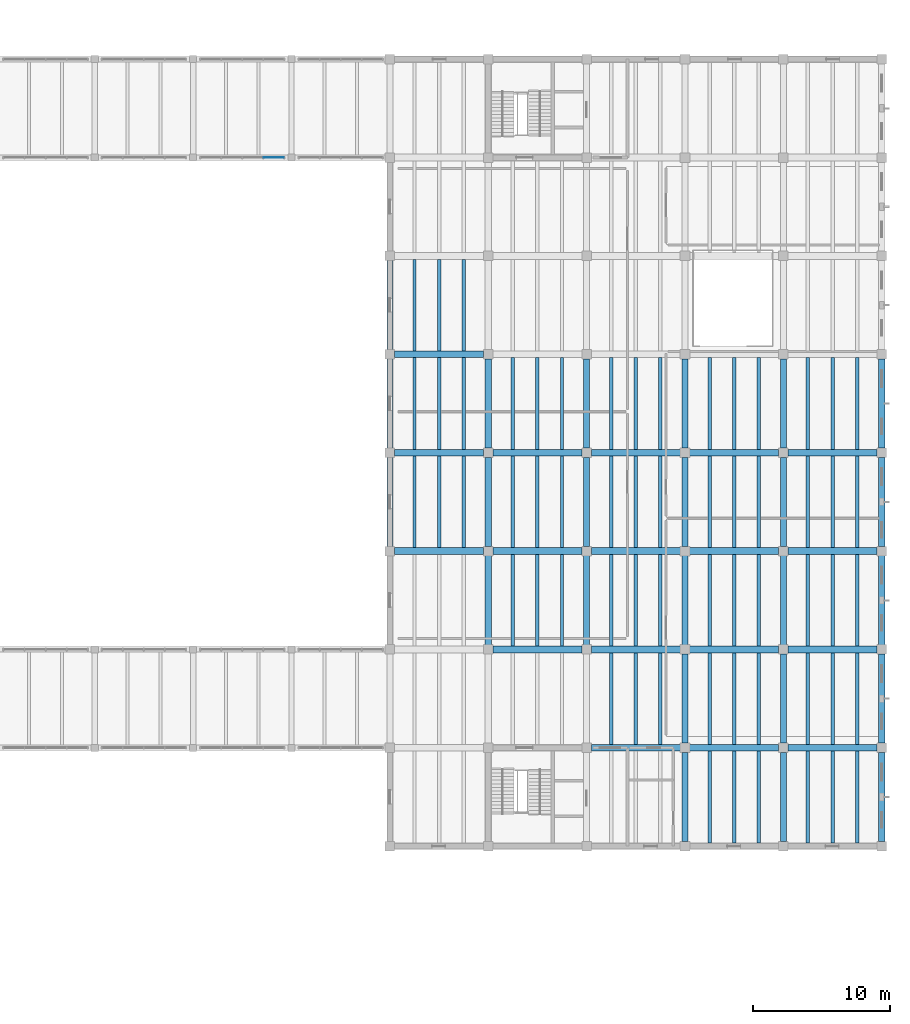
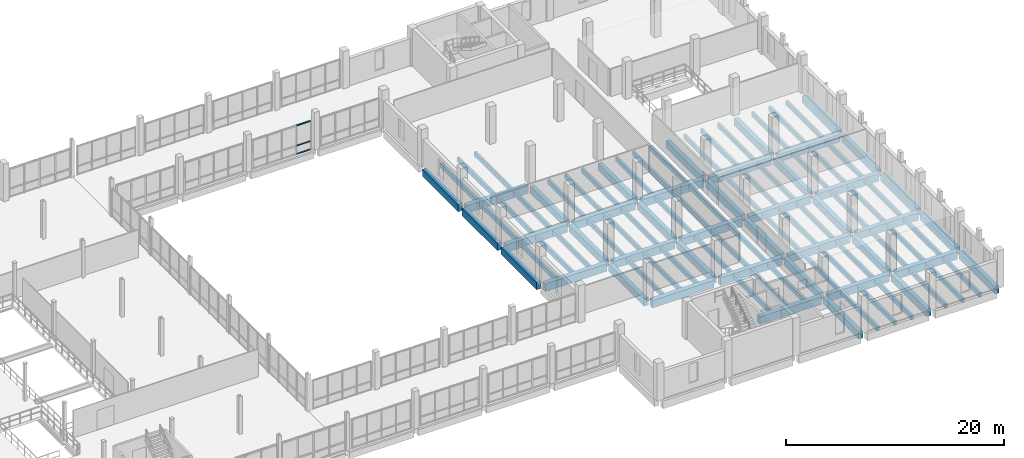
# One storey, part 39 of 72: 102 beams, 3 members, 1 element without a shape of its own.
"""IFC4 building model written with IfcOpenShell, lengths in metres."""

from ifc_helpers import new_model, si_unit, direction, frame, origin, origin_2d, place, context, subcontext, project, spatial, rectangle, extrude, material, material_profile, profile_set, type_object, element, aggregate, save


model = new_model("IFC4")

# Units and contexts
model_context = context("Model", 3, precision=1e-05, world=origin(), true_north=direction((0.0, 1.0)))
body_context = subcontext(model_context, "Body", "Model", "MODEL_VIEW")
ifc_project = project(units=[si_unit("LENGTHUNIT", "METRE"), si_unit("AREAUNIT", "SQUARE_METRE"), si_unit("VOLUMEUNIT", "CUBIC_METRE"), si_unit("PLANEANGLEUNIT", "RADIAN"), si_unit("MASSUNIT", "GRAM", prefix="KILO")], contexts=[model_context])

# Site, building, storey
site_placement = place(None, origin())
site = spatial("IfcSite", under=ifc_project, at=site_placement, CompositionType="ELEMENT")
building_placement = place(site_placement, origin())
building = spatial("IfcBuilding", under=site, at=building_placement, Name="Qiaolan Assembly House", CompositionType="ELEMENT")
storey_placement = place(building_placement, frame((0.0, 0.0, 10.199951171875)))
storey = spatial("IfcBuildingStorey", under=building, at=storey_placement, Name="L02", CompositionType="ELEMENT", Elevation=10.199951171875)

# Beams
ifc_material_1 = material(Name="Concrete C40/50", Category="concrete")
ifc_material_profile_1 = material_profile(ifc_material_1, rectangle(XDim=0.449951171875, YDim=0.800048828125, at=origin_2d()), Name="RCB 450x800")
ifc_profile_set_1 = profile_set([ifc_material_profile_1], Name="Concrete C40/50")
beam_type_1 = type_object("IfcBeamType", Name="BM-RC-450x800", PredefinedType="BEAM", material=ifc_profile_set_1)
for number, where, z_axis, x_axis, name in (
    (1, (136.800048828125, 50.739990234375, -0.669921875), (0.0, 1.0, 0.0), (-1.0, 0.0, 0.0), "GB-03 beam BMY-LB-L02-00-03"),
    (2, (136.800048828125, 57.93994140625, -0.669921875), (0.0, 1.0, 0.0), (-1.0, 0.0, 0.0), "GB-03 beam BMY-LB-L02-00-04"),
    (3, (136.800048828125, 65.139892578125, -0.669921875), (0.0, 1.0, 0.0), (-1.0, 0.0, 0.0), "GB-03 beam BMY-LB-L02-00-05"),
    (4, (144.0, 43.5400390625, -0.669921875), (0.0, 1.0, 0.0), (-1.0, 0.0, 0.0), "GB-03 beam BMY-LB-L02-01-02"),
    (5, (144.0, 50.739990234375, -0.669921875), (0.0, 1.0, 0.0), (-1.0, 0.0, 0.0), "GB-03 beam BMY-LB-L02-01-03"),
    (6, (144.0, 57.93994140625, -0.669921875), (0.0, 1.0, 0.0), (-1.0, 0.0, 0.0), "GB-03 beam BMY-LB-L02-01-04"),
    (7, (151.199951171875, 43.5400390625, -0.669921875), (0.0, 1.0, 0.0), (-1.0, 0.0, 0.0), "GB-03 beam BMY-LB-L02-02-02"),
    (8, (151.199951171875, 50.739990234375, -0.669921875), (0.0, 1.0, 0.0), (-1.0, 0.0, 0.0), "GB-03 beam BMY-LB-L02-02-03"),
    (9, (151.199951171875, 57.93994140625, -0.669921875), (0.0, 1.0, 0.0), (-1.0, 0.0, 0.0), "GB-03 beam BMY-LB-L02-02-04"),
    (10, (158.39990234375, 29.139892578125, -0.669921875), (0.0, 1.0, 0.0), (-1.0, 0.0, 0.0), "GB-03 beam BMY-LB-L02-03-00"),
    (11, (158.39990234375, 36.340087890625, -0.669921875), (0.0, 1.0, 0.0), (-1.0, 0.0, 0.0), "GB-03 beam BMY-LB-L02-03-01"),
    (12, (158.39990234375, 43.5400390625, -0.669921875), (0.0, 1.0, 0.0), (-1.0, 0.0, 0.0), "GB-03 beam BMY-LB-L02-03-02"),
    (13, (158.39990234375, 50.739990234375, -0.669921875), (0.0, 1.0, 0.0), (-1.0, 0.0, 0.0), "GB-03 beam BMY-LB-L02-03-03"),
    (14, (158.39990234375, 57.93994140625, -0.669921875), (0.0, 1.0, 0.0), (-1.0, 0.0, 0.0), "GB-03 beam BMY-LB-L02-03-04"),
    (15, (165.60009765625, 29.139892578125, -0.669921875), (0.0, 1.0, 0.0), (-1.0, 0.0, 0.0), "GB-03 beam BMY-LB-L02-04-00"),
    (16, (165.60009765625, 36.340087890625, -0.669921875), (0.0, 1.0, 0.0), (-1.0, 0.0, 0.0), "GB-03 beam BMY-LB-L02-04-01"),
    (17, (165.60009765625, 43.5400390625, -0.669921875), (0.0, 1.0, 0.0), (-1.0, 0.0, 0.0), "GB-03 beam BMY-LB-L02-04-02"),
    (18, (165.60009765625, 50.739990234375, -0.669921875), (0.0, 1.0, 0.0), (-1.0, 0.0, 0.0), "GB-03 beam BMY-LB-L02-04-03"),
    (19, (165.60009765625, 57.93994140625, -0.669921875), (0.0, 1.0, 0.0), (-1.0, 0.0, 0.0), "GB-03 beam BMY-LB-L02-04-04"),
    (20, (172.800048828125, 29.139892578125, -0.669921875), (0.0, 1.0, 0.0), (-1.0, 0.0, 0.0), "GB-03 beam BMY-LB-L02-05-00"),
    (21, (172.800048828125, 36.340087890625, -0.669921875), (0.0, 1.0, 0.0), (-1.0, 0.0, 0.0), "GB-03 beam BMY-LB-L02-05-01"),
    (22, (172.800048828125, 43.5400390625, -0.669921875), (0.0, 1.0, 0.0), (-1.0, 0.0, 0.0), "GB-03 beam BMY-LB-L02-05-02"),
    (23, (172.800048828125, 50.739990234375, -0.669921875), (0.0, 1.0, 0.0), (-1.0, 0.0, 0.0), "GB-03 beam BMY-LB-L02-05-03"),
    (24, (172.800048828125, 57.93994140625, -0.669921875), (0.0, 1.0, 0.0), (-1.0, 0.0, 0.0), "GB-03 beam BMY-LB-L02-05-04"),
):
    element("IfcBeam", number, at=place(storey_placement, frame(where, z_axis=z_axis, x_axis=x_axis)), inside=storey, type_object=beam_type_1, Name=name, PredefinedType="BEAM", context=body_context, shape_type="SweptSolid", body=[
        extrude(rectangle(XDim=0.449951171875, YDim=0.800048828125, at=origin_2d()), origin(), (0.0, 0.0, 1.0), 6.52001953125),
    ])
ifc_material_2 = material(Name="Concrete C45/55", Category="concrete")
ifc_material_profile_2 = material_profile(ifc_material_2, rectangle(XDim=0.5, YDim=0.85009765625, at=origin_2d()), Name="RCB 500x850")
ifc_profile_set_2 = profile_set([ifc_material_profile_2], Name="Concrete C45/55")
beam_type_2 = type_object("IfcBeamType", Name="BM-RC-500x850", PredefinedType="BEAM", material=ifc_profile_set_2)
for number, where, z_axis, x_axis, name in (
    (25, (151.5400390625, 36.0, -0.695068359375), (1.0, 0.0, 0.0), (0.0, 1.0, 0.0), "GB-02 beam BMX-LB-L02-02-01"),
    (26, (158.739990234375, 36.0, -0.695068359375), (1.0, 0.0, 0.0), (0.0, 1.0, 0.0), "GB-02 beam BMX-LB-L02-03-01"),
    (27, (165.93994140625, 36.0, -0.695068359375), (1.0, 0.0, 0.0), (0.0, 1.0, 0.0), "GB-02 beam BMX-LB-L02-04-01"),
    (28, (144.340087890625, 43.199951171875, -0.695068359375), (1.0, 0.0, 0.0), (0.0, 1.0, 0.0), "GB-02 beam BMX-LB-L02-01-02"),
    (29, (151.5400390625, 43.199951171875, -0.695068359375), (1.0, 0.0, 0.0), (0.0, 1.0, 0.0), "GB-02 beam BMX-LB-L02-02-02"),
    (30, (158.739990234375, 43.199951171875, -0.695068359375), (1.0, 0.0, 0.0), (0.0, 1.0, 0.0), "GB-02 beam BMX-LB-L02-03-02"),
    (31, (165.93994140625, 43.199951171875, -0.695068359375), (1.0, 0.0, 0.0), (0.0, 1.0, 0.0), "GB-02 beam BMX-LB-L02-04-02"),
    (32, (137.139892578125, 50.39990234375, -0.695068359375), (1.0, 0.0, 0.0), (0.0, 1.0, 0.0), "GB-02 beam BMX-LB-L02-00-03"),
    (33, (144.340087890625, 50.39990234375, -0.695068359375), (1.0, 0.0, 0.0), (0.0, 1.0, 0.0), "GB-02 beam BMX-LB-L02-01-03"),
    (34, (151.5400390625, 50.39990234375, -0.695068359375), (1.0, 0.0, 0.0), (0.0, 1.0, 0.0), "GB-02 beam BMX-LB-L02-02-03"),
    (35, (158.739990234375, 50.39990234375, -0.695068359375), (1.0, 0.0, 0.0), (0.0, 1.0, 0.0), "GB-02 beam BMX-LB-L02-03-03"),
    (36, (165.93994140625, 50.39990234375, -0.695068359375), (1.0, 0.0, 0.0), (0.0, 1.0, 0.0), "GB-02 beam BMX-LB-L02-04-03"),
    (37, (137.139892578125, 57.60009765625, -0.695068359375), (1.0, 0.0, 0.0), (0.0, 1.0, 0.0), "GB-02 beam BMX-LB-L02-00-04"),
    (38, (144.340087890625, 57.60009765625, -0.695068359375), (1.0, 0.0, 0.0), (0.0, 1.0, 0.0), "GB-02 beam BMX-LB-L02-01-04"),
    (39, (151.5400390625, 57.60009765625, -0.695068359375), (1.0, 0.0, 0.0), (0.0, 1.0, 0.0), "GB-02 beam BMX-LB-L02-02-04"),
    (40, (158.739990234375, 57.60009765625, -0.695068359375), (1.0, 0.0, 0.0), (0.0, 1.0, 0.0), "GB-02 beam BMX-LB-L02-03-04"),
    (41, (165.93994140625, 57.60009765625, -0.695068359375), (1.0, 0.0, 0.0), (0.0, 1.0, 0.0), "GB-02 beam BMX-LB-L02-04-04"),
    (42, (137.139892578125, 64.800048828125, -0.695068359375), (1.0, 0.0, 0.0), (0.0, 1.0, 0.0), "GB-02 beam BMX-LB-L02-00-05"),
):
    element("IfcBeam", number, at=place(storey_placement, frame(where, z_axis=z_axis, x_axis=x_axis)), inside=storey, type_object=beam_type_2, Name=name, PredefinedType="BEAM", context=body_context, shape_type="SweptSolid", body=[
        extrude(rectangle(XDim=0.5, YDim=0.85009765625, at=origin_2d()), origin(), (0.0, 0.0, 1.0), 6.52001953125),
    ])

# Curtain wall, members
ifc_material_3 = material(Name="Anodised bronze aluminium", Category="aluminium")
curtain_wall_type = type_object("IfcCurtainWallType", Name="CW-CLOISTER-420", PredefinedType="NOTDEFINED", material=ifc_material_3)
curtain_wall_placement = place(storey_placement, origin())
curtain_wall = element("IfcCurtainWall", 43, at=curtain_wall_placement, inside=storey, type_object=curtain_wall_type, Name="CW-05 North Cloister court arcade L02-3", PredefinedType="NOTDEFINED")
ifc_material_profile_3 = material_profile(ifc_material_3, rectangle(XDim=0.06201171875, YDim=0.125, at=origin_2d()), Name="TRN 62x125")
ifc_profile_set_3 = profile_set([ifc_material_profile_3], Name="Anodised bronze aluminium")
member_type = type_object("IfcMemberType", Name="CW-CLOISTER-420-TRN", PredefinedType="USERDEFINED", material=ifc_profile_set_3)
member_1_placement = place(storey_placement, frame((127.574951171875, 79.199951171875, 0.030029296875), z_axis=(1.0, 0.0, 0.0), x_axis=(0.0, 1.0, 0.0)))
member_1 = element("IfcMember", 44, at=member_1_placement, type_object=member_type, Name="TR-06 transom CW-CLN-CRT-L02-2-4-1", ObjectType="TRANSOM", PredefinedType="USERDEFINED", context=body_context, shape_type="SweptSolid", body=[
    extrude(rectangle(XDim=0.06201171875, YDim=0.125, at=origin_2d()), origin(), (0.0, 0.0, 1.0), 1.469970703125),
])
member_2_placement = place(storey_placement, frame((127.574951171875, 79.199951171875, 0.949951171875), z_axis=(1.0, 0.0, 0.0), x_axis=(0.0, 1.0, 0.0)))
member_2 = element("IfcMember", 45, at=member_2_placement, type_object=member_type, Name="TR-06 transom CW-CLN-CRT-L02-2-4-2", ObjectType="TRANSOM", PredefinedType="USERDEFINED", context=body_context, shape_type="SweptSolid", body=[
    extrude(rectangle(XDim=0.06201171875, YDim=0.125, at=origin_2d()), origin(), (0.0, 0.0, 1.0), 1.469970703125),
])
member_3_placement = place(storey_placement, frame((127.574951171875, 79.199951171875, 3.18994140625), z_axis=(1.0, 0.0, 0.0), x_axis=(0.0, 1.0, 0.0)))
member_3 = element("IfcMember", 46, at=member_3_placement, type_object=member_type, Name="TR-06 transom CW-CLN-CRT-L02-2-4-3", ObjectType="TRANSOM", PredefinedType="USERDEFINED", context=body_context, shape_type="SweptSolid", body=[
    extrude(rectangle(XDim=0.06201171875, YDim=0.125, at=origin_2d()), origin(), (0.0, 0.0, 1.0), 1.469970703125),
])
aggregate(curtain_wall, [member_1, member_2, member_3])

# Beams
ifc_material_profile_4 = material_profile(ifc_material_1, rectangle(XDim=0.25, YDim=0.5, at=origin_2d()), Name="RCB 250x500")
ifc_profile_set_4 = profile_set([ifc_material_profile_4], Name="Concrete C40/50")
beam_type_3 = type_object("IfcBeamType", Name="JST-RC-250x500", PredefinedType="JOIST", material=ifc_profile_set_4)
for number, where, z_axis, x_axis, name in (
    (47, (138.60009765625, 50.64404296875, -0.52001953125), (0.0, 1.0, 0.0), (-1.0, 0.0, 0.0), "RJ-01 beam JST-LB-L02-00-03-1"),
    (48, (140.39990234375, 50.64404296875, -0.52001953125), (0.0, 1.0, 0.0), (-1.0, 0.0, 0.0), "RJ-01 beam JST-LB-L02-00-03-2"),
    (49, (142.199951171875, 50.64404296875, -0.52001953125), (0.0, 1.0, 0.0), (-1.0, 0.0, 0.0), "RJ-01 beam JST-LB-L02-00-03-3"),
    (50, (138.60009765625, 57.843994140625, -0.52001953125), (0.0, 1.0, 0.0), (-1.0, 0.0, 0.0), "RJ-01 beam JST-LB-L02-00-04-1"),
    (51, (140.39990234375, 57.843994140625, -0.52001953125), (0.0, 1.0, 0.0), (-1.0, 0.0, 0.0), "RJ-01 beam JST-LB-L02-00-04-2"),
    (52, (142.199951171875, 57.843994140625, -0.52001953125), (0.0, 1.0, 0.0), (-1.0, 0.0, 0.0), "RJ-01 beam JST-LB-L02-00-04-3"),
):
    element("IfcBeam", number, at=place(storey_placement, frame(where, z_axis=z_axis, x_axis=x_axis)), inside=storey, type_object=beam_type_3, Name=name, PredefinedType="JOIST", context=body_context, shape_type="SweptSolid", body=[
        extrude(rectangle(XDim=0.25, YDim=0.5, at=origin_2d()), origin(), (0.0, 0.0, 1.0), 6.7119140625),
    ])
for number, where, z_axis, x_axis, name in (
    (53, (138.60009765625, 65.0439453125, -0.52001953125), (0.0, 1.0, 0.0), (-1.0, 0.0, 0.0), "RJ-01 beam JST-LB-L02-00-05-1"),
    (54, (140.39990234375, 65.0439453125, -0.52001953125), (0.0, 1.0, 0.0), (-1.0, 0.0, 0.0), "RJ-01 beam JST-LB-L02-00-05-2"),
    (55, (142.199951171875, 65.0439453125, -0.52001953125), (0.0, 1.0, 0.0), (-1.0, 0.0, 0.0), "RJ-01 beam JST-LB-L02-00-05-3"),
):
    element("IfcBeam", number, at=place(storey_placement, frame(where, z_axis=z_axis, x_axis=x_axis)), inside=storey, type_object=beam_type_3, Name=name, PredefinedType="JOIST", context=body_context, shape_type="SweptSolid", body=[
        extrude(rectangle(XDim=0.25, YDim=0.5, at=origin_2d()), origin(), (0.0, 0.0, 1.0), 6.712158203125),
    ])
for number, where, z_axis, x_axis, name in (
    (56, (145.800048828125, 43.444091796875, -0.52001953125), (0.0, 1.0, 0.0), (-1.0, 0.0, 0.0), "RJ-01 beam JST-LB-L02-01-02-1"),
    (57, (147.60009765625, 43.444091796875, -0.52001953125), (0.0, 1.0, 0.0), (-1.0, 0.0, 0.0), "RJ-01 beam JST-LB-L02-01-02-2"),
    (58, (149.39990234375, 43.444091796875, -0.52001953125), (0.0, 1.0, 0.0), (-1.0, 0.0, 0.0), "RJ-01 beam JST-LB-L02-01-02-3"),
    (59, (145.800048828125, 50.64404296875, -0.52001953125), (0.0, 1.0, 0.0), (-1.0, 0.0, 0.0), "RJ-01 beam JST-LB-L02-01-03-1"),
    (60, (147.60009765625, 50.64404296875, -0.52001953125), (0.0, 1.0, 0.0), (-1.0, 0.0, 0.0), "RJ-01 beam JST-LB-L02-01-03-2"),
    (61, (149.39990234375, 50.64404296875, -0.52001953125), (0.0, 1.0, 0.0), (-1.0, 0.0, 0.0), "RJ-01 beam JST-LB-L02-01-03-3"),
    (62, (145.800048828125, 57.843994140625, -0.52001953125), (0.0, 1.0, 0.0), (-1.0, 0.0, 0.0), "RJ-01 beam JST-LB-L02-01-04-1"),
    (63, (147.60009765625, 57.843994140625, -0.52001953125), (0.0, 1.0, 0.0), (-1.0, 0.0, 0.0), "RJ-01 beam JST-LB-L02-01-04-2"),
    (64, (149.39990234375, 57.843994140625, -0.52001953125), (0.0, 1.0, 0.0), (-1.0, 0.0, 0.0), "RJ-01 beam JST-LB-L02-01-04-3"),
):
    element("IfcBeam", number, at=place(storey_placement, frame(where, z_axis=z_axis, x_axis=x_axis)), inside=storey, type_object=beam_type_3, Name=name, PredefinedType="JOIST", context=body_context, shape_type="SweptSolid", body=[
        extrude(rectangle(XDim=0.25, YDim=0.5, at=origin_2d()), origin(), (0.0, 0.0, 1.0), 6.7119140625),
    ])
for number, where, z_axis, x_axis, name in (
    (65, (153.0, 36.243896484375, -0.52001953125), (0.0, 1.0, 0.0), (-1.0, 0.0, 0.0), "RJ-01 beam JST-LB-L02-02-01-1"),
    (66, (154.800048828125, 36.243896484375, -0.52001953125), (0.0, 1.0, 0.0), (-1.0, 0.0, 0.0), "RJ-01 beam JST-LB-L02-02-01-2"),
    (67, (156.60009765625, 36.243896484375, -0.52001953125), (0.0, 1.0, 0.0), (-1.0, 0.0, 0.0), "RJ-01 beam JST-LB-L02-02-01-3"),
):
    element("IfcBeam", number, at=place(storey_placement, frame(where, z_axis=z_axis, x_axis=x_axis)), inside=storey, type_object=beam_type_3, Name=name, PredefinedType="JOIST", context=body_context, shape_type="SweptSolid", body=[
        extrude(rectangle(XDim=0.25, YDim=0.5, at=origin_2d()), origin(), (0.0, 0.0, 1.0), 6.712158203125),
    ])
for number, where, z_axis, x_axis, name in (
    (68, (153.0, 43.444091796875, -0.52001953125), (0.0, 1.0, 0.0), (-1.0, 0.0, 0.0), "RJ-01 beam JST-LB-L02-02-02-1"),
    (69, (154.800048828125, 43.444091796875, -0.52001953125), (0.0, 1.0, 0.0), (-1.0, 0.0, 0.0), "RJ-01 beam JST-LB-L02-02-02-2"),
    (70, (156.60009765625, 43.444091796875, -0.52001953125), (0.0, 1.0, 0.0), (-1.0, 0.0, 0.0), "RJ-01 beam JST-LB-L02-02-02-3"),
    (71, (153.0, 50.64404296875, -0.52001953125), (0.0, 1.0, 0.0), (-1.0, 0.0, 0.0), "RJ-01 beam JST-LB-L02-02-03-1"),
    (72, (154.800048828125, 50.64404296875, -0.52001953125), (0.0, 1.0, 0.0), (-1.0, 0.0, 0.0), "RJ-01 beam JST-LB-L02-02-03-2"),
    (73, (156.60009765625, 50.64404296875, -0.52001953125), (0.0, 1.0, 0.0), (-1.0, 0.0, 0.0), "RJ-01 beam JST-LB-L02-02-03-3"),
    (74, (153.0, 57.843994140625, -0.52001953125), (0.0, 1.0, 0.0), (-1.0, 0.0, 0.0), "RJ-01 beam JST-LB-L02-02-04-1"),
    (75, (154.800048828125, 57.843994140625, -0.52001953125), (0.0, 1.0, 0.0), (-1.0, 0.0, 0.0), "RJ-01 beam JST-LB-L02-02-04-2"),
    (76, (156.60009765625, 57.843994140625, -0.52001953125), (0.0, 1.0, 0.0), (-1.0, 0.0, 0.0), "RJ-01 beam JST-LB-L02-02-04-3"),
):
    element("IfcBeam", number, at=place(storey_placement, frame(where, z_axis=z_axis, x_axis=x_axis)), inside=storey, type_object=beam_type_3, Name=name, PredefinedType="JOIST", context=body_context, shape_type="SweptSolid", body=[
        extrude(rectangle(XDim=0.25, YDim=0.5, at=origin_2d()), origin(), (0.0, 0.0, 1.0), 6.7119140625),
    ])
for number, where, z_axis, x_axis, name in (
    (77, (160.199951171875, 29.0439453125, -0.52001953125), (0.0, 1.0, 0.0), (-1.0, 0.0, 0.0), "RJ-01 beam JST-LB-L02-03-00-1"),
    (78, (162.0, 29.0439453125, -0.52001953125), (0.0, 1.0, 0.0), (-1.0, 0.0, 0.0), "RJ-01 beam JST-LB-L02-03-00-2"),
    (79, (163.800048828125, 29.0439453125, -0.52001953125), (0.0, 1.0, 0.0), (-1.0, 0.0, 0.0), "RJ-01 beam JST-LB-L02-03-00-3"),
    (80, (160.199951171875, 36.243896484375, -0.52001953125), (0.0, 1.0, 0.0), (-1.0, 0.0, 0.0), "RJ-01 beam JST-LB-L02-03-01-1"),
    (81, (162.0, 36.243896484375, -0.52001953125), (0.0, 1.0, 0.0), (-1.0, 0.0, 0.0), "RJ-01 beam JST-LB-L02-03-01-2"),
    (82, (163.800048828125, 36.243896484375, -0.52001953125), (0.0, 1.0, 0.0), (-1.0, 0.0, 0.0), "RJ-01 beam JST-LB-L02-03-01-3"),
):
    element("IfcBeam", number, at=place(storey_placement, frame(where, z_axis=z_axis, x_axis=x_axis)), inside=storey, type_object=beam_type_3, Name=name, PredefinedType="JOIST", context=body_context, shape_type="SweptSolid", body=[
        extrude(rectangle(XDim=0.25, YDim=0.5, at=origin_2d()), origin(), (0.0, 0.0, 1.0), 6.712158203125),
    ])
for number, where, z_axis, x_axis, name in (
    (83, (160.199951171875, 43.444091796875, -0.52001953125), (0.0, 1.0, 0.0), (-1.0, 0.0, 0.0), "RJ-01 beam JST-LB-L02-03-02-1"),
    (84, (162.0, 43.444091796875, -0.52001953125), (0.0, 1.0, 0.0), (-1.0, 0.0, 0.0), "RJ-01 beam JST-LB-L02-03-02-2"),
    (85, (163.800048828125, 43.444091796875, -0.52001953125), (0.0, 1.0, 0.0), (-1.0, 0.0, 0.0), "RJ-01 beam JST-LB-L02-03-02-3"),
    (86, (160.199951171875, 50.64404296875, -0.52001953125), (0.0, 1.0, 0.0), (-1.0, 0.0, 0.0), "RJ-01 beam JST-LB-L02-03-03-1"),
    (87, (162.0, 50.64404296875, -0.52001953125), (0.0, 1.0, 0.0), (-1.0, 0.0, 0.0), "RJ-01 beam JST-LB-L02-03-03-2"),
    (88, (163.800048828125, 50.64404296875, -0.52001953125), (0.0, 1.0, 0.0), (-1.0, 0.0, 0.0), "RJ-01 beam JST-LB-L02-03-03-3"),
    (89, (160.199951171875, 57.843994140625, -0.52001953125), (0.0, 1.0, 0.0), (-1.0, 0.0, 0.0), "RJ-01 beam JST-LB-L02-03-04-1"),
    (90, (162.0, 57.843994140625, -0.52001953125), (0.0, 1.0, 0.0), (-1.0, 0.0, 0.0), "RJ-01 beam JST-LB-L02-03-04-2"),
    (91, (163.800048828125, 57.843994140625, -0.52001953125), (0.0, 1.0, 0.0), (-1.0, 0.0, 0.0), "RJ-01 beam JST-LB-L02-03-04-3"),
):
    element("IfcBeam", number, at=place(storey_placement, frame(where, z_axis=z_axis, x_axis=x_axis)), inside=storey, type_object=beam_type_3, Name=name, PredefinedType="JOIST", context=body_context, shape_type="SweptSolid", body=[
        extrude(rectangle(XDim=0.25, YDim=0.5, at=origin_2d()), origin(), (0.0, 0.0, 1.0), 6.7119140625),
    ])
for number, where, z_axis, x_axis, name in (
    (92, (167.39990234375, 29.0439453125, -0.52001953125), (0.0, 1.0, 0.0), (-1.0, 0.0, 0.0), "RJ-01 beam JST-LB-L02-04-00-1"),
    (93, (169.199951171875, 29.0439453125, -0.52001953125), (0.0, 1.0, 0.0), (-1.0, 0.0, 0.0), "RJ-01 beam JST-LB-L02-04-00-2"),
    (94, (171.0, 29.0439453125, -0.52001953125), (0.0, 1.0, 0.0), (-1.0, 0.0, 0.0), "RJ-01 beam JST-LB-L02-04-00-3"),
    (95, (167.39990234375, 36.243896484375, -0.52001953125), (0.0, 1.0, 0.0), (-1.0, 0.0, 0.0), "RJ-01 beam JST-LB-L02-04-01-1"),
    (96, (169.199951171875, 36.243896484375, -0.52001953125), (0.0, 1.0, 0.0), (-1.0, 0.0, 0.0), "RJ-01 beam JST-LB-L02-04-01-2"),
    (97, (171.0, 36.243896484375, -0.52001953125), (0.0, 1.0, 0.0), (-1.0, 0.0, 0.0), "RJ-01 beam JST-LB-L02-04-01-3"),
):
    element("IfcBeam", number, at=place(storey_placement, frame(where, z_axis=z_axis, x_axis=x_axis)), inside=storey, type_object=beam_type_3, Name=name, PredefinedType="JOIST", context=body_context, shape_type="SweptSolid", body=[
        extrude(rectangle(XDim=0.25, YDim=0.5, at=origin_2d()), origin(), (0.0, 0.0, 1.0), 6.712158203125),
    ])
for number, where, z_axis, x_axis, name in (
    (98, (167.39990234375, 43.444091796875, -0.52001953125), (0.0, 1.0, 0.0), (-1.0, 0.0, 0.0), "RJ-01 beam JST-LB-L02-04-02-1"),
    (99, (169.199951171875, 43.444091796875, -0.52001953125), (0.0, 1.0, 0.0), (-1.0, 0.0, 0.0), "RJ-01 beam JST-LB-L02-04-02-2"),
    (100, (171.0, 43.444091796875, -0.52001953125), (0.0, 1.0, 0.0), (-1.0, 0.0, 0.0), "RJ-01 beam JST-LB-L02-04-02-3"),
    (101, (167.39990234375, 50.64404296875, -0.52001953125), (0.0, 1.0, 0.0), (-1.0, 0.0, 0.0), "RJ-01 beam JST-LB-L02-04-03-1"),
    (102, (169.199951171875, 50.64404296875, -0.52001953125), (0.0, 1.0, 0.0), (-1.0, 0.0, 0.0), "RJ-01 beam JST-LB-L02-04-03-2"),
    (103, (171.0, 50.64404296875, -0.52001953125), (0.0, 1.0, 0.0), (-1.0, 0.0, 0.0), "RJ-01 beam JST-LB-L02-04-03-3"),
    (104, (167.39990234375, 57.843994140625, -0.52001953125), (0.0, 1.0, 0.0), (-1.0, 0.0, 0.0), "RJ-01 beam JST-LB-L02-04-04-1"),
    (105, (169.199951171875, 57.843994140625, -0.52001953125), (0.0, 1.0, 0.0), (-1.0, 0.0, 0.0), "RJ-01 beam JST-LB-L02-04-04-2"),
    (106, (171.0, 57.843994140625, -0.52001953125), (0.0, 1.0, 0.0), (-1.0, 0.0, 0.0), "RJ-01 beam JST-LB-L02-04-04-3"),
):
    element("IfcBeam", number, at=place(storey_placement, frame(where, z_axis=z_axis, x_axis=x_axis)), inside=storey, type_object=beam_type_3, Name=name, PredefinedType="JOIST", context=body_context, shape_type="SweptSolid", body=[
        extrude(rectangle(XDim=0.25, YDim=0.5, at=origin_2d()), origin(), (0.0, 0.0, 1.0), 6.7119140625),
    ])

save(model, "model.ifc")
